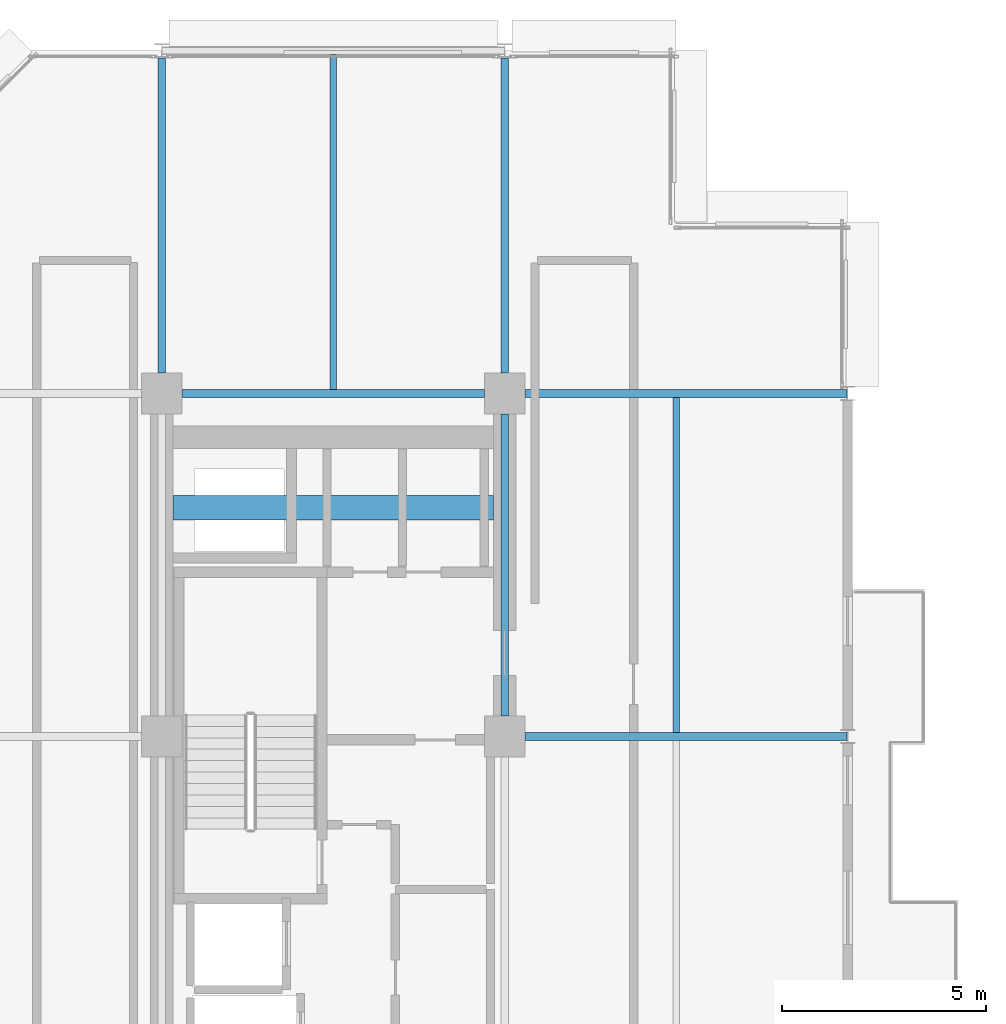
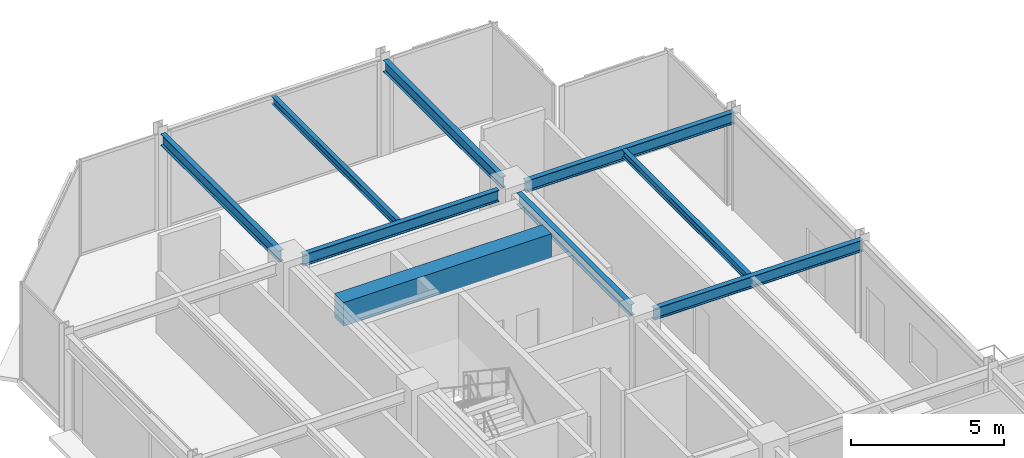
# One storey, part 19 of 30: 9 beams.
"""IFC4 building model written with IfcOpenShell, lengths in metres."""

from ifc_helpers import new_model, si_unit, direction, frame, origin, origin_2d, place, context, subcontext, project, spatial, rectangle, i_section, extrude, material, material_profile, profile_set, type_object, element, save


model = new_model("IFC4")

# Units and contexts
model_context = context("Model", 3, precision=1e-05, world=origin(), true_north=direction((0.0, 1.0)))
body_context = subcontext(model_context, "Body", "Model", "MODEL_VIEW")
ifc_project = project(units=[si_unit("LENGTHUNIT", "METRE"), si_unit("AREAUNIT", "SQUARE_METRE"), si_unit("VOLUMEUNIT", "CUBIC_METRE"), si_unit("PLANEANGLEUNIT", "RADIAN"), si_unit("MASSUNIT", "GRAM", prefix="KILO")], contexts=[model_context])

# Site, building, storey
site_placement = place(None, origin())
site = spatial("IfcSite", under=ifc_project, at=site_placement, CompositionType="ELEMENT")
building_placement = place(site_placement, origin())
building = spatial("IfcBuilding", under=site, at=building_placement, Name="Nerrivon Quay Data Exchange", CompositionType="ELEMENT")
storey_placement = place(building_placement, frame((0.0, 0.0, 167.300048828125)))
storey = spatial("IfcBuildingStorey", under=building, at=storey_placement, Name="L39", CompositionType="ELEMENT", Elevation=167.300048828125)

# Beams
ifc_material_1 = material(Name="Concrete N50 (50 MPa)", Category="concrete")
ifc_material_profile_1 = material_profile(ifc_material_1, rectangle(XDim=0.60009765625, YDim=0.949951171875, at=origin_2d()), Name="RC-CB-600x950")
ifc_profile_set_1 = profile_set([ifc_material_profile_1], Name="Concrete N50 (50 MPa)")
beam_type_1 = type_object("IfcBeamType", Name="BM-CB2-600x950", PredefinedType="LINTEL", material=ifc_profile_set_1)
beam_1_placement = place(storey_placement, frame((8.675048828125, 39.199951171875, 3.349853515625), z_axis=(1.0, 0.0, 0.0), x_axis=(0.0, 1.0, 0.0)))
element("IfcBeam", 1, at=beam_1_placement, inside=storey, type_object=beam_type_1, Name="L39 West Core Coupling Beam", PredefinedType="LINTEL", context=body_context, shape_type="SweptSolid", body=[
    extrude(rectangle(XDim=0.60009765625, YDim=0.949951171875, at=origin_2d()), origin(), (0.0, 0.0, 1.0), 7.849853515625),
])
ifc_material_2 = material(Name="Steel Grade 350", Category="steel")
ifc_material_profile_2 = material_profile(ifc_material_2, i_section(OverallWidth=0.19091796875, OverallDepth=0.4599609375, WebThickness=0.010009765625, FlangeThickness=0.01611328125, FilletRadius=0.011474609375, at=origin_2d()), Name="460UB82.1")
ifc_profile_set_2 = profile_set([ifc_material_profile_2], Name="Steel Grade 350")
beam_type_2 = type_object("IfcBeamType", Name="BM-G5-460UB82", PredefinedType="BEAM", material=ifc_profile_set_2)
beam_2_placement = place(storey_placement, frame((17.300048828125, 33.60009765625, 3.594970703125), z_axis=(1.0, 0.0, 0.0), x_axis=(0.0, 1.0, 0.0)))
element("IfcBeam", 2, at=beam_2_placement, inside=storey, type_object=beam_type_2, Name="L39 EW Girder Y=33.6 (16.8..25.2)", PredefinedType="BEAM", context=body_context, shape_type="SweptSolid", body=[
    extrude(i_section(OverallWidth=0.19091796875, OverallDepth=0.4599609375, WebThickness=0.010009765625, FlangeThickness=0.01611328125, FilletRadius=0.011474609375, at=origin_2d()), origin(), (0.0, 0.0, 1.0), 7.889892578125),
])
beam_3_placement = place(storey_placement, frame((8.89990234375, 42.0, 3.594970703125), z_axis=(1.0, 0.0, 0.0), x_axis=(0.0, 1.0, 0.0)))
element("IfcBeam", 3, at=beam_3_placement, inside=storey, type_object=beam_type_2, Name="L39 EW Girder Y=42.0 (8.4..16.8)", PredefinedType="BEAM", context=body_context, shape_type="SweptSolid", body=[
    extrude(i_section(OverallWidth=0.19091796875, OverallDepth=0.4599609375, WebThickness=0.010009765625, FlangeThickness=0.01611328125, FilletRadius=0.011474609375, at=origin_2d()), origin(), (0.0, 0.0, 1.0), 7.400146484375),
])
beam_4_placement = place(storey_placement, frame((17.300048828125, 42.0, 3.594970703125), z_axis=(1.0, 0.0, 0.0), x_axis=(0.0, 1.0, 0.0)))
element("IfcBeam", 4, at=beam_4_placement, inside=storey, type_object=beam_type_2, Name="L39 EW Girder Y=42.0 (16.8..25.2)", PredefinedType="BEAM", context=body_context, shape_type="SweptSolid", body=[
    extrude(i_section(OverallWidth=0.19091796875, OverallDepth=0.4599609375, WebThickness=0.010009765625, FlangeThickness=0.01611328125, FilletRadius=0.011474609375, at=origin_2d()), origin(), (0.0, 0.0, 1.0), 7.889892578125),
])
ifc_material_profile_3 = material_profile(ifc_material_2, i_section(OverallWidth=0.18994140625, OverallDepth=0.4541015625, WebThickness=0.008544921875, FlangeThickness=0.0126953125, FilletRadius=0.011474609375, at=origin_2d()), Name="460UB67.1")
ifc_profile_set_3 = profile_set([ifc_material_profile_3], Name="Steel Grade 350")
beam_type_3 = type_object("IfcBeamType", Name="BM-G6-460UB67", PredefinedType="BEAM", material=ifc_profile_set_3)
beam_5_placement = place(storey_placement, frame((8.39990234375, 42.5, 3.597900390625), z_axis=(0.0, 1.0, 0.0), x_axis=(-1.0, 0.0, 0.0)))
element("IfcBeam", 5, at=beam_5_placement, inside=storey, type_object=beam_type_3, Name="L39 NS Girder X=8.4 (42.0..50.4)", PredefinedType="BEAM", context=body_context, shape_type="SweptSolid", body=[
    extrude(i_section(OverallWidth=0.18994140625, OverallDepth=0.4541015625, WebThickness=0.008544921875, FlangeThickness=0.0126953125, FilletRadius=0.011474609375, at=origin_2d()), origin(), (0.0, 0.0, 1.0), 7.72509765625),
])
beam_6_placement = place(storey_placement, frame((16.800048828125, 34.10009765625, 3.597900390625), z_axis=(0.0, 1.0, 0.0), x_axis=(-1.0, 0.0, 0.0)))
element("IfcBeam", 6, at=beam_6_placement, inside=storey, type_object=beam_type_3, Name="L39 NS Girder X=16.8 (33.6..42.0)", PredefinedType="BEAM", context=body_context, shape_type="SweptSolid", body=[
    extrude(i_section(OverallWidth=0.18994140625, OverallDepth=0.4541015625, WebThickness=0.008544921875, FlangeThickness=0.0126953125, FilletRadius=0.011474609375, at=origin_2d()), origin(), (0.0, 0.0, 1.0), 7.39990234375),
])
beam_7_placement = place(storey_placement, frame((16.800048828125, 42.5, 3.597900390625), z_axis=(0.0, 1.0, 0.0), x_axis=(-1.0, 0.0, 0.0)))
element("IfcBeam", 7, at=beam_7_placement, inside=storey, type_object=beam_type_3, Name="L39 NS Girder X=16.8 (42.0..50.4)", PredefinedType="BEAM", context=body_context, shape_type="SweptSolid", body=[
    extrude(i_section(OverallWidth=0.18994140625, OverallDepth=0.4541015625, WebThickness=0.008544921875, FlangeThickness=0.0126953125, FilletRadius=0.011474609375, at=origin_2d()), origin(), (0.0, 0.0, 1.0), 7.72509765625),
])
ifc_material_profile_4 = material_profile(ifc_material_2, i_section(OverallWidth=0.166015625, OverallDepth=0.306884765625, WebThickness=0.006591796875, FlangeThickness=0.01171875, FilletRadius=0.011474609375, at=origin_2d()), Name="310UB46.2")
ifc_profile_set_4 = profile_set([ifc_material_profile_4], Name="Steel Grade 350")
beam_type_4 = type_object("IfcBeamType", Name="BM-J5-310UB46", PredefinedType="JOIST", material=ifc_profile_set_4)
beam_8_placement = place(storey_placement, frame((12.60009765625, 42.095458984375, 3.67138671875), z_axis=(0.0, 1.0, 0.0), x_axis=(-1.0, 0.0, 0.0)))
element("IfcBeam", 8, at=beam_8_placement, inside=storey, type_object=beam_type_4, Name="L39 Secondary Joist X=12.6 (42.0..50.4)", PredefinedType="JOIST", context=body_context, shape_type="SweptSolid", body=[
    extrude(i_section(OverallWidth=0.166015625, OverallDepth=0.306884765625, WebThickness=0.006591796875, FlangeThickness=0.01171875, FilletRadius=0.011474609375, at=origin_2d()), origin(), (0.0, 0.0, 1.0), 8.20458984375),
])
beam_9_placement = place(storey_placement, frame((21.0, 33.695556640625, 3.67138671875), z_axis=(0.0, 1.0, 0.0), x_axis=(-1.0, 0.0, 0.0)))
element("IfcBeam", 9, at=beam_9_placement, inside=storey, type_object=beam_type_4, Name="L39 Secondary Joist X=21.0 (33.6..42.0)", PredefinedType="JOIST", context=body_context, shape_type="SweptSolid", body=[
    extrude(i_section(OverallWidth=0.166015625, OverallDepth=0.306884765625, WebThickness=0.006591796875, FlangeThickness=0.01171875, FilletRadius=0.011474609375, at=origin_2d()), origin(), (0.0, 0.0, 1.0), 8.208984375),
])

save(model, "model.ifc")
